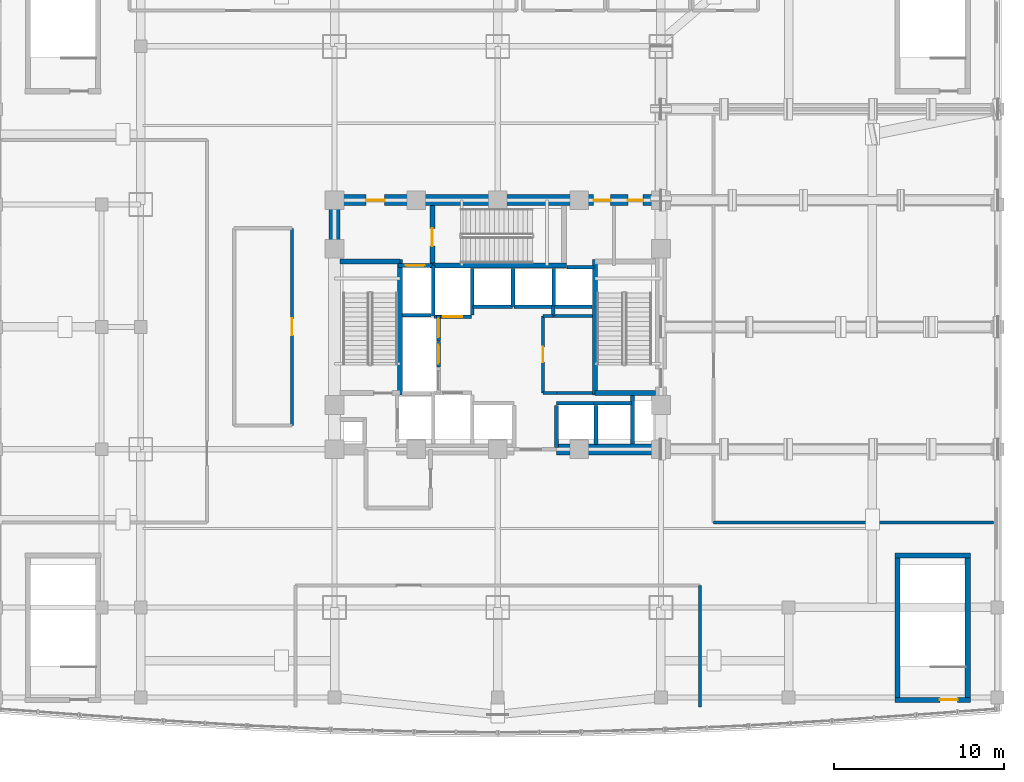
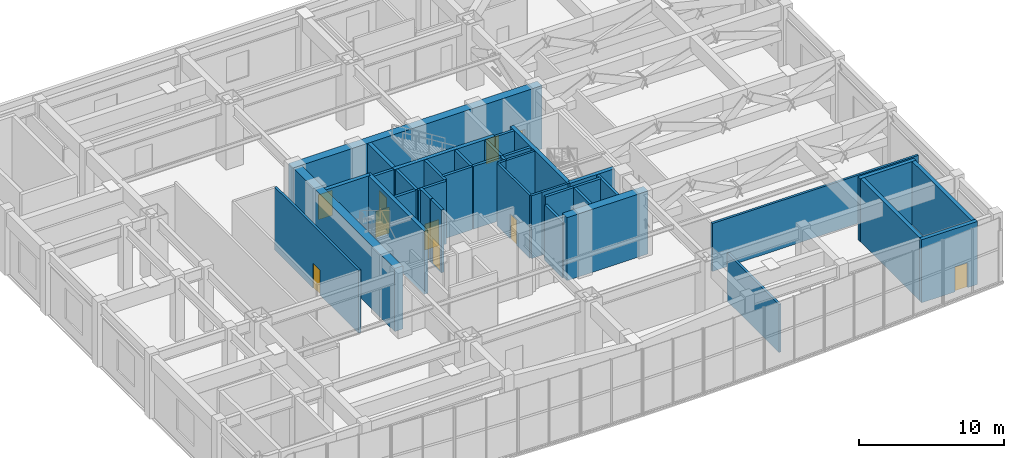
# One storey, part 13 of 19: 40 walls, 11 doors, 11 openings.
"""IFC4 building model written with IfcOpenShell, lengths in metres."""

import ifcopenshell
import ifcopenshell.guid

model = None  # the IFC model being written
_history = None  # IfcOwnerHistory: only IFC2X3 demands one
_inside = {}  # id of a spatial element -> (the spatial element, [elements in it])
_under = {}  # id of a project, library or spatial element -> (it, [spatial elements below it])
_declared = {}  # id of a project -> (the project, [libraries it declares])
_typed = {}  # id of a type object -> (the type object, [elements of that type])
_made_of = {}  # id of a material, layer set ... -> (it, [elements and type objects made of it])


def new_model(schema):
    """Start an empty IFC model of exactly this schema.

    Asked for "IFC4X3", IfcOpenShell would pick the latest addendum, in which some entities
    have other attributes; the version numbers below select the first issue.
    IFC2X3 requires an IfcOwnerHistory on every rooted entity: one is made here for all.
    """
    global model, _history
    if schema == "IFC4X3":
        model = ifcopenshell.file(schema_version=(4, 3, 0, 0))
    else:
        model = ifcopenshell.file(schema=schema)
    _inside.clear()
    _under.clear()
    _declared.clear()
    _typed.clear()
    _made_of.clear()
    _history = None
    if model.schema == "IFC2X3":
        org = make("IfcOrganization", Name="unknown")
        user = make(
            "IfcPersonAndOrganization",
            ThePerson=make("IfcPerson", FamilyName="unknown"),
            TheOrganization=org,
        )
        app = make(
            "IfcApplication",
            ApplicationDeveloper=org,
            Version="unknown",
            ApplicationFullName="unknown",
            ApplicationIdentifier="unknown",
        )
        _history = make(
            "IfcOwnerHistory",
            OwningUser=user,
            OwningApplication=app,
            ChangeAction="ADDED",
            CreationDate=0,
        )
    return model


def make(cls, **values):
    """One entity of the class cls with the attributes given. An attribute that is None is left unset."""
    return model.create_entity(
        cls, **{name: value for name, value in values.items() if value is not None}
    )


def rooted(cls, **values):
    """An entity with a GlobalId (a new one), such as an element, a storey or a relation."""
    return make(cls, GlobalId=ifcopenshell.guid.new(), OwnerHistory=_history, **values)


def si_unit(unit_type, name, prefix=None):
    """IfcSIUnit, for example si_unit("LENGTHUNIT", "METRE", prefix="MILLI")."""
    return make("IfcSIUnit", UnitType=unit_type, Prefix=prefix, Name=name)


def assignment(units):
    """IfcUnitAssignment: the units of a project."""
    return None if units is None else make("IfcUnitAssignment", Units=units)


def point(xyz):
    """IfcCartesianPoint."""
    return None if xyz is None else make("IfcCartesianPoint", Coordinates=xyz)


def direction(xyz):
    """IfcDirection."""
    return None if xyz is None else make("IfcDirection", DirectionRatios=xyz)


def frame(location, z_axis=None, x_axis=None):
    """IfcAxis2Placement3D, a coordinate frame: its origin and axes. An axis left out is left unset."""
    return make(
        "IfcAxis2Placement3D",
        Location=point(location),
        Axis=direction(z_axis),
        RefDirection=direction(x_axis),
    )


def frame_2d(location, x_axis=None):
    """IfcAxis2Placement2D, a coordinate frame in the plane: its origin and x axis."""
    return make(
        "IfcAxis2Placement2D", Location=point(location), RefDirection=direction(x_axis)
    )


def origin():
    """The frame at (0, 0, 0) with its axes left unset."""
    return frame((0.0, 0.0, 0.0))


def place(relative_to, where):
    """IfcLocalPlacement: puts the frame where relative to a parent placement (None: the world)."""
    return make(
        "IfcLocalPlacement", PlacementRelTo=relative_to, RelativePlacement=where
    )


def context(
    kind, dimensions, precision=None, world=None, true_north=None, identifier=None
):
    """IfcGeometricRepresentationContext, for example the 3D "Model" context."""
    return make(
        "IfcGeometricRepresentationContext",
        ContextIdentifier=identifier,
        ContextType=kind,
        CoordinateSpaceDimension=dimensions,
        Precision=precision,
        WorldCoordinateSystem=world,
        TrueNorth=true_north,
    )


def subcontext(parent, identifier, kind, view, scale=None):
    """IfcGeometricRepresentationSubContext, for example "Body" below "Model"."""
    return make(
        "IfcGeometricRepresentationSubContext",
        ContextIdentifier=identifier,
        ContextType=kind,
        ParentContext=parent,
        TargetScale=scale,
        TargetView=view,
    )


def project(units=None, contexts=None):
    """IfcProject with its units and contexts."""
    return rooted(
        "IfcProject",
        Name="project",
        RepresentationContexts=contexts,
        UnitsInContext=assignment(units),
    )


def spatial(cls, under=None, at=None, **own):
    """A site, building, storey or space (cls), placed at a placement, below another one or the project."""
    s = rooted(cls, ObjectPlacement=at, **own)
    if under is not None:
        _under.setdefault(under.id(), (under, []))[1].append(s)
    return s


def profile(cls, at=None, kind="AREA", **sizes):
    """A parametric profile (cls). Its sizes go by their IFC names, for example OverallWidth=200.0."""
    return make(cls, ProfileType=kind, Position=at, **sizes)


def rectangle(**sizes):
    """IfcRectangleProfileDef."""
    return profile("IfcRectangleProfileDef", **sizes)


def extrude(swept, where, along, depth):
    """IfcExtrudedAreaSolid: the profile swept, set in the frame where, extruded along a direction by depth."""
    return make(
        "IfcExtrudedAreaSolid",
        SweptArea=swept,
        Position=where,
        ExtrudedDirection=direction(along),
        Depth=depth,
    )


def shape(context_of_items, identifier, shape_type, items):
    """IfcShapeRepresentation: the items that make up one representation, for example the "Body"."""
    return make(
        "IfcShapeRepresentation",
        ContextOfItems=context_of_items,
        RepresentationIdentifier=identifier,
        RepresentationType=shape_type,
        Items=items,
    )


def material(Name=None, Category=None):
    """IfcMaterial."""
    return make("IfcMaterial", Name=Name, Category=Category)


def layer(
    of_material, thickness, ventilated=None, Name=None, Category=None, Priority=None
):
    """IfcMaterialLayer: one layer of a wall or slab, of a material (None: an air gap)."""
    return make(
        "IfcMaterialLayer",
        Material=of_material,
        LayerThickness=thickness,
        IsVentilated=ventilated,
        Name=Name,
        Category=Category,
        Priority=Priority,
    )


def layer_set(layers, Name=None):
    """IfcMaterialLayerSet."""
    return make("IfcMaterialLayerSet", MaterialLayers=layers, LayerSetName=Name)


def made_of(thing, what):
    """Note that an element or type object is made of a material, layer set ...; save() writes the relation."""
    if what is not None:
        _made_of.setdefault(what.id(), (what, []))[1].append(thing)
    return thing


def type_object(cls, material=None, **own):
    """A type object (cls), such as IfcWallType, which elements share."""
    return made_of(rooted(cls, **own), material)


def element(
    cls,
    number,
    at=None,
    inside=None,
    cuts=None,
    type_object=None,
    material=None,
    context=None,
    identifier="Body",
    shape_type=None,
    held_by="IfcProductDefinitionShape",
    body=None,
    shapes=None,
    **own,
):
    """One element of the class cls, such as IfcWall. Its Tag is "e" and its number.

    at: its placement. inside: the storey or other place that contains it. cuts: it is an
    opening in that element (IfcRelVoidsElement). A single representation is given by context,
    identifier, shape_type and body (its items); several are given by shapes. held_by: the class
    of the entity that holds the representations. save() writes the other relations.
    """
    e = rooted(cls, Tag="e%d" % number, ObjectPlacement=at, **own)
    if body is not None:
        shapes = [shape(context, identifier, shape_type, body)]
    if shapes is not None:
        e.Representation = make(held_by, Representations=shapes)
    if inside is not None:
        _inside.setdefault(inside.id(), (inside, []))[1].append(e)
    if cuts is not None:
        rooted(
            "IfcRelVoidsElement", RelatingBuildingElement=cuts, RelatedOpeningElement=e
        )
    if type_object is not None:
        _typed.setdefault(type_object.id(), (type_object, []))[1].append(e)
    return made_of(e, material)


def fill(opening, filler):
    """IfcRelFillsElement: the door or window that sits in an opening."""
    return rooted(
        "IfcRelFillsElement",
        RelatingOpeningElement=opening,
        RelatedBuildingElement=filler,
    )


def aggregate(whole, parts):
    """IfcRelAggregates: a whole, such as a stair, and the parts it consists of."""
    return rooted("IfcRelAggregates", RelatingObject=whole, RelatedObjects=parts)


def save(model, path):
    """Write the relations noted so far, then the file.

    IfcRelAggregates (storeys below a building ...), IfcRelContainedInSpatialStructure (elements
    in a storey), IfcRelDefinesByType, IfcRelAssociatesMaterial and IfcRelDeclares: one each for
    every whole, place, type object, material and project.
    """
    for whole, parts in _under.values():
        aggregate(whole, parts)
    for where, things in _inside.values():
        rooted(
            "IfcRelContainedInSpatialStructure",
            RelatedElements=things,
            RelatingStructure=where,
        )
    for kind, things in _typed.values():
        rooted("IfcRelDefinesByType", RelatedObjects=things, RelatingType=kind)
    for what, things in _made_of.values():
        rooted("IfcRelAssociatesMaterial", RelatedObjects=things, RelatingMaterial=what)
    for by, libraries in _declared.values():
        rooted("IfcRelDeclares", RelatingContext=by, RelatedDefinitions=libraries)
    model.write(path)


model = new_model("IFC4")

# Units and contexts
model_context = context("Model", 3, precision=1e-05, world=origin(), true_north=direction((0.0, 1.0)))
body_context = subcontext(model_context, "Body", "Model", "MODEL_VIEW")
ifc_project = project(units=[si_unit("LENGTHUNIT", "METRE"), si_unit("AREAUNIT", "SQUARE_METRE"), si_unit("VOLUMEUNIT", "CUBIC_METRE"), si_unit("PLANEANGLEUNIT", "RADIAN"), si_unit("MASSUNIT", "GRAM", prefix="KILO")], contexts=[model_context])

# Site, building, storey
site_placement = place(None, origin())
site = spatial("IfcSite", under=ifc_project, at=site_placement, CompositionType="ELEMENT")
building_placement = place(site_placement, origin())
building = spatial("IfcBuilding", under=site, at=building_placement, Name="Vantalir Tower", CompositionType="ELEMENT")
storey_placement = place(building_placement, frame((0.0, 0.0, 21.5)))
storey = spatial("IfcBuildingStorey", under=building, at=storey_placement, Name="L04", CompositionType="ELEMENT", Elevation=21.5)

# Wall
ifc_material_1 = material(Name="Concrete C60/75", Category="concrete")
ifc_layer_1 = layer(ifc_material_1, 0.64990234375)
ifc_layer_set_1 = layer_set([ifc_layer_1], Name="Concrete C60/75")
wall_type_1 = type_object("IfcWallType", Name="WL-CORE-650", PredefinedType="SHEAR", material=ifc_layer_set_1)
wall_1_placement = place(storey_placement, frame((34.949951171875, 17.800048828125, 0.0), z_axis=(0.0, 0.0, 1.0), x_axis=(1.0, 0.0, 0.0)))
element("IfcWall", 1, at=wall_1_placement, inside=storey, type_object=wall_type_1, Name="L04 Core Shear Wall South-East", PredefinedType="SHEAR", context=body_context, shape_type="SweptSolid", body=[
    extrude(rectangle(XDim=6.47509765625, YDim=0.64990234375, at=frame_2d((3.237548828125, 0.0))), origin(), (0.0, 0.0, 1.0), 5.320068359375),
])

# Wall, openings, doors
wall_2_placement = place(storey_placement, frame((21.574951171875, 32.449951171875, 0.0), z_axis=(0.0, 0.0, 1.0), x_axis=(1.0, 0.0, 0.0)))
wall_2 = element("IfcWall", 2, at=wall_2_placement, inside=storey, type_object=wall_type_1, Name="L04 Core Shear Wall North", PredefinedType="SHEAR", context=body_context, shape_type="SweptSolid", body=[
    extrude(rectangle(XDim=19.85009765625, YDim=0.64990234375, at=frame_2d((9.925048828125, 0.0))), origin(), (0.0, 0.0, 1.0), 5.320068359375),
])
opening_1_placement = place(wall_2_placement, frame((2.175048828125, 0.0, 0.0)))
opening_1 = element("IfcOpeningElement", 3, at=opening_1_placement, cuts=wall_2, Name="Opening D-FFL", PredefinedType="OPENING", context=body_context, shape_type="SweptSolid", body=[
    extrude(rectangle(XDim=1.10009765625, YDim=2.10009765625, at=frame_2d((0.550048828125, 1.050048828125))), frame((0.0, 0.3349609375, 0.0), z_axis=(0.0, -1.0, 0.0), x_axis=(1.0, 0.0, 0.0)), (0.0, 0.0, 1.0), 0.669921875),
])
opening_2_placement = place(wall_2_placement, frame((15.56494140625, 0.0, 0.0)))
opening_2 = element("IfcOpeningElement", 4, at=opening_2_placement, cuts=wall_2, Name="Opening D-GUEST", PredefinedType="OPENING", context=body_context, shape_type="SweptSolid", body=[
    extrude(rectangle(XDim=1.0, YDim=2.10009765625, at=frame_2d((0.5, 1.050048828125))), frame((0.0, 0.3349609375, 0.0), z_axis=(0.0, -1.0, 0.0), x_axis=(1.0, 0.0, 0.0)), (0.0, 0.0, 1.0), 0.669921875),
])
opening_3_placement = place(wall_2_placement, frame((17.574951171875, 0.0, 0.0)))
opening_3 = element("IfcOpeningElement", 5, at=opening_3_placement, cuts=wall_2, Name="Opening D-CR", PredefinedType="OPENING", context=body_context, shape_type="SweptSolid", body=[
    extrude(rectangle(XDim=0.89990234375, YDim=2.10009765625, at=frame_2d((0.449951171875, 1.050048828125))), frame((0.0, 0.3349609375, 0.0), z_axis=(0.0, -1.0, 0.0), x_axis=(1.0, 0.0, 0.0)), (0.0, 0.0, 1.0), 0.669921875),
])
ifc_material_2 = material(Name="Fire-rated steel core service door", Category="steel")
door_type_1 = type_object("IfcDoorType", Name="DR-CORE-SERV-900", OperationType="NOTDEFINED", PredefinedType="DOOR", material=ifc_material_2)
door_1_placement = place(opening_3_placement, frame((0.89990234375, 0.0, 0.0), z_axis=(0.0, 0.0, 1.0), x_axis=(-1.0, 0.0, 0.0)))
door_1 = element("IfcDoor", 6, at=door_1_placement, inside=storey, type_object=door_type_1, Name="L04 Housekeeping and Linen Room Door", OperationType="SINGLE_SWING_RIGHT", OverallHeight=2.10009765625, OverallWidth=0.89990234375, PredefinedType="DOOR", context=body_context, shape_type="SweptSolid", body=[
    extrude(rectangle(XDim=0.89990234375, YDim=2.10009765625, at=frame_2d((0.449951171875, 1.050048828125))), frame((0.0, 0.02490234375, 0.0), z_axis=(0.0, -1.0, 0.0), x_axis=(1.0, 0.0, 0.0)), (0.0, 0.0, 1.0), 0.050048828125),
])
fill(opening_3, door_1)
ifc_material_3 = material(Name="Fire-rated acoustic steel door", Category="steel")
door_type_2 = type_object("IfcDoorType", Name="DR-FIRE-LOBBY-1100", OperationType="NOTDEFINED", PredefinedType="DOOR", material=ifc_material_3)
door_2_placement = place(opening_1_placement, frame((1.10009765625, 0.0, 0.0), z_axis=(0.0, 0.0, 1.0), x_axis=(-1.0, 0.0, 0.0)))
door_2 = element("IfcDoor", 7, at=door_2_placement, inside=storey, type_object=door_type_2, Name="L04 Firefighting Lobby East Access Door", OperationType="SINGLE_SWING_RIGHT", OverallHeight=2.10009765625, OverallWidth=1.10009765625, PredefinedType="DOOR", context=body_context, shape_type="SweptSolid", body=[
    extrude(rectangle(XDim=1.10009765625, YDim=2.10009765625, at=frame_2d((0.550048828125, 1.050048828125))), frame((0.0, 0.02490234375, 0.0), z_axis=(0.0, -1.0, 0.0), x_axis=(1.0, 0.0, 0.0)), (0.0, 0.0, 1.0), 0.050048828125),
])
fill(opening_1, door_2)
ifc_material_4 = material(Name="Solid-core teak veneer acoustic fire door", Category="wood")
door_type_3 = type_object("IfcDoorType", Name="DR-GUEST-ENTRY-1000", OperationType="NOTDEFINED", PredefinedType="DOOR", material=ifc_material_4)
door_3_placement = place(opening_2_placement, frame((1.0, 0.0, 0.0), z_axis=(0.0, 0.0, 1.0), x_axis=(-1.0, 0.0, 0.0)))
door_3 = element("IfcDoor", 8, at=door_3_placement, inside=storey, type_object=door_type_3, Name="L04 High-Rise Lift Lobby Door", OperationType="SINGLE_SWING_LEFT", OverallHeight=2.10009765625, OverallWidth=1.0, PredefinedType="DOOR", context=body_context, shape_type="SweptSolid", body=[
    extrude(rectangle(XDim=1.0, YDim=2.10009765625, at=frame_2d((0.5, 1.050048828125))), frame((0.0, 0.02490234375, 0.0), z_axis=(0.0, -1.0, 0.0), x_axis=(1.0, 0.0, 0.0)), (0.0, 0.0, 1.0), 0.050048828125),
])
fill(opening_2, door_3)

# Walls
wall_3_placement = place(storey_placement, frame((21.89990234375, 18.125, 0.0), z_axis=(0.0, 0.0, 1.0), x_axis=(0.0, 1.0, 0.0)))
element("IfcWall", 9, at=wall_3_placement, inside=storey, type_object=wall_type_1, Name="L04 Core Shear Wall West", PredefinedType="SHEAR", context=body_context, shape_type="SweptSolid", body=[
    extrude(rectangle(XDim=14.0, YDim=0.64990234375, at=frame_2d((7.0, 0.0))), origin(), (0.0, 0.0, 1.0), 5.320068359375),
])
ifc_material_5 = material(Name="Concrete blockwork with fireboard lining", Category="masonry")
ifc_layer_2 = layer(ifc_material_5, 0.219970703125)
ifc_layer_set_2 = layer_set([ifc_layer_2], Name="Concrete blockwork with fireboard lining")
wall_type_2 = type_object("IfcWallType", Name="WL-FFL-220", PredefinedType="PARTITIONING", material=ifc_layer_set_2)
wall_4_placement = place(storey_placement, frame((34.949951171875, 17.919921875, 0.0), z_axis=(0.0, 0.0, 1.0), x_axis=(0.0, 1.0, 0.0)))
element("IfcWall", 10, at=wall_4_placement, inside=storey, type_object=wall_type_2, Name="L04 Shuttle Lift PL-X3 West Shaft Cheek", PredefinedType="PARTITIONING", context=body_context, shape_type="SweptSolid", body=[
    extrude(rectangle(XDim=2.469970703125, YDim=0.219970703125, at=frame_2d((1.23486328125, 0.0))), origin(), (0.0, 0.0, 1.0), 4.678955078125),
])
wall_5_placement = place(storey_placement, frame((37.27490234375, 18.080078125, 0.0), z_axis=(0.0, 0.0, 1.0), x_axis=(0.0, 1.0, 0.0)))
element("IfcWall", 11, at=wall_5_placement, inside=storey, type_object=wall_type_2, Name="L04 Shuttle Lift PL-X2/X3 Shaft Divider", PredefinedType="PARTITIONING", context=body_context, shape_type="SweptSolid", body=[
    extrude(rectangle(XDim=2.309814453125, YDim=0.219970703125, at=frame_2d((1.15478515625, 0.0))), origin(), (0.0, 0.0, 1.0), 5.294921875),
])
wall_6_placement = place(storey_placement, frame((30.0, 25.7099609375, 0.0), z_axis=(0.0, 0.0, 1.0), x_axis=(0.0, 1.0, 0.0)))
element("IfcWall", 12, at=wall_6_placement, inside=storey, type_object=wall_type_2, Name="L04 Service Lift SV2 East Shaft Wall", PredefinedType="PARTITIONING", context=body_context, shape_type="SweptSolid", body=[
    extrude(rectangle(XDim=2.72998046875, YDim=0.219970703125, at=frame_2d((1.364990234375, 0.0))), origin(), (0.0, 0.0, 1.0), 5.294921875),
])
wall_7_placement = place(storey_placement, frame((32.39990234375, 26.199951171875, 0.0), z_axis=(0.0, 0.0, 1.0), x_axis=(0.0, 1.0, 0.0)))
element("IfcWall", 13, at=wall_7_placement, inside=storey, type_object=wall_type_2, Name="L04 High-Rise Lift PL-H1/H2 Shaft Divider", PredefinedType="PARTITIONING", context=body_context, shape_type="SweptSolid", body=[
    extrude(rectangle(XDim=2.239990234375, YDim=0.219970703125, at=frame_2d((1.1201171875, 0.0))), origin(), (0.0, 0.0, 1.0), 5.294921875),
])
wall_8_placement = place(storey_placement, frame((34.800048828125, 26.22998046875, 0.0), z_axis=(0.0, 0.0, 1.0), x_axis=(0.0, 1.0, 0.0)))
element("IfcWall", 14, at=wall_8_placement, inside=storey, type_object=wall_type_2, Name="L04 High-Rise Lift PL-H2/H3 Shaft Divider", PredefinedType="PARTITIONING", context=body_context, shape_type="SweptSolid", body=[
    extrude(rectangle(XDim=2.2099609375, YDim=0.219970703125, at=frame_2d((1.10498046875, 0.0))), origin(), (0.0, 0.0, 1.0), 5.294921875),
])
wall_9_placement = place(storey_placement, frame((34.909912109375, 26.18994140625, 0.0), z_axis=(0.0, 0.0, 1.0), x_axis=(1.0, 0.0, 0.0)))
element("IfcWall", 15, at=wall_9_placement, inside=storey, type_object=wall_type_2, Name="L04 High-Rise Lift PL-H3 Rear Shaft Wall", PredefinedType="PARTITIONING", context=body_context, shape_type="SweptSolid", body=[
    extrude(rectangle(XDim=2.14013671875, YDim=0.219970703125, at=frame_2d((1.070068359375, 0.0))), origin(), (0.0, 0.0, 1.0), 5.294921875),
])
wall_10_placement = place(storey_placement, frame((39.419921875, 18.125, 0.0), z_axis=(0.0, 0.0, 1.0), x_axis=(0.0, 1.0, 0.0)))
element("IfcWall", 16, at=wall_10_placement, inside=storey, type_object=wall_type_2, Name="L04 East MEP Riser Wall W", PredefinedType="PARTITIONING", context=body_context, shape_type="SweptSolid", body=[
    extrude(rectangle(XDim=2.824951171875, YDim=0.219970703125, at=frame_2d((1.41259765625, 0.0))), origin(), (0.0, 0.0, 1.0), 5.300048828125),
])

# Wall, opening, door
wall_11_placement = place(storey_placement, frame((25.639892578125, 28.610107421875, 0.0), z_axis=(0.0, 0.0, 1.0), x_axis=(1.0, 0.0, 0.0)))
wall_11 = element("IfcWall", 17, at=wall_11_placement, inside=storey, type_object=wall_type_2, Name="L04 Lift FL2 Shaft Front Wall", PredefinedType="PARTITIONING", context=body_context, shape_type="SweptSolid", body=[
    extrude(rectangle(XDim=2.02001953125, YDim=0.219970703125, at=frame_2d((1.010009765625, 0.0))), origin(), (0.0, 0.0, 1.0), 5.300048828125),
])
opening_4_placement = place(wall_11_placement, frame((0.4599609375, 0.0, 0.0)))
opening_4 = element("IfcOpeningElement", 18, at=opening_4_placement, cuts=wall_11, Name="Opening LD-FL2", PredefinedType="OPENING", context=body_context, shape_type="SweptSolid", body=[
    extrude(rectangle(XDim=1.10009765625, YDim=2.199951171875, at=frame_2d((0.550048828125, 1.10009765625))), frame((0.0, 0.119873046875, 0.0), z_axis=(0.0, -1.0, 0.0), x_axis=(1.0, 0.0, 0.0)), (0.0, 0.0, 1.0), 0.239990234375),
])
ifc_material_6 = material(Name="Brushed stainless-steel sliding lift landing door", Category="steel")
door_type_4 = type_object("IfcDoorType", Name="DR-LIFT-LANDING-1100", OperationType="DOUBLE_DOOR_SLIDING", PredefinedType="DOOR", material=ifc_material_6)
door_4_placement = place(opening_4_placement, origin())
door_4 = element("IfcDoor", 19, at=door_4_placement, inside=storey, type_object=door_type_4, Name="L04 Lift Landing Door FL2", OperationType="DOUBLE_DOOR_SLIDING", OverallHeight=2.199951171875, OverallWidth=1.10009765625, PredefinedType="DOOR", context=body_context, shape_type="SweptSolid", body=[
    extrude(rectangle(XDim=1.10009765625, YDim=2.199951171875, at=frame_2d((0.550048828125, 1.10009765625))), frame((0.0, 0.02490234375, 0.0), z_axis=(0.0, -1.0, 0.0), x_axis=(1.0, 0.0, 0.0)), (0.0, 0.0, 1.0), 0.050048828125),
])
fill(opening_4, door_4)

wall_12_placement = place(storey_placement, frame((27.739990234375, 25.590087890625, 0.0), z_axis=(0.0, 0.0, 1.0), x_axis=(1.0, 0.0, 0.0)))
wall_12 = element("IfcWall", 20, at=wall_12_placement, inside=storey, type_object=wall_type_2, Name="L04 Lift SV2 Shaft Front Wall", PredefinedType="PARTITIONING", context=body_context, shape_type="SweptSolid", body=[
    extrude(rectangle(XDim=2.219970703125, YDim=0.219970703125, at=frame_2d((1.10986328125, 0.0))), origin(), (0.0, 0.0, 1.0), 5.300048828125),
])
opening_5_placement = place(wall_12_placement, frame((0.56005859375, 0.0, 0.0)))
opening_5 = element("IfcOpeningElement", 21, at=opening_5_placement, cuts=wall_12, Name="Opening LD-SV2", PredefinedType="OPENING", context=body_context, shape_type="SweptSolid", body=[
    extrude(rectangle(XDim=1.10009765625, YDim=2.199951171875, at=frame_2d((0.550048828125, 1.10009765625))), frame((0.0, 0.119873046875, 0.0), z_axis=(0.0, -1.0, 0.0), x_axis=(1.0, 0.0, 0.0)), (0.0, 0.0, 1.0), 0.239990234375),
])
door_5_placement = place(opening_5_placement, frame((1.10009765625, 0.0, 0.0), z_axis=(0.0, 0.0, 1.0), x_axis=(-1.0, 0.0, 0.0)))
door_5 = element("IfcDoor", 22, at=door_5_placement, inside=storey, type_object=door_type_4, Name="L04 Lift Landing Door SV2", OperationType="DOUBLE_DOOR_SLIDING", OverallHeight=2.199951171875, OverallWidth=1.10009765625, PredefinedType="DOOR", context=body_context, shape_type="SweptSolid", body=[
    extrude(rectangle(XDim=1.10009765625, YDim=2.199951171875, at=frame_2d((0.550048828125, 1.10009765625))), frame((0.0, 0.02490234375, 0.0), z_axis=(0.0, -1.0, 0.0), x_axis=(1.0, 0.0, 0.0)), (0.0, 0.0, 1.0), 0.050048828125),
])
fill(opening_5, door_5)

# Walls
for number, where, z_axis, x_axis, name in (
    (23, (37.139892578125, 20.510009765625, 0.0), (0.0, 0.0, 1.0), (1.0, 0.0, 0.0), "L04 Lift PL-X2 Shaft Rear Wall"),
    (24, (34.93994140625, 20.510009765625, 0.0), (0.0, 0.0, 1.0), (1.0, 0.0, 0.0), "L04 Lift PL-X3 Shaft Front Wall"),
):
    element("IfcWall", number, at=place(storey_placement, frame(where, z_axis=z_axis, x_axis=x_axis)), inside=storey, type_object=wall_type_2, Name=name, PredefinedType="PARTITIONING", context=body_context, shape_type="SweptSolid", body=[
        extrude(rectangle(XDim=2.239990234375, YDim=0.219970703125, at=frame_2d((1.1201171875, 0.0))), origin(), (0.0, 0.0, 1.0), 5.300048828125),
    ])
for number, where, z_axis, x_axis, name in (
    (25, (30.0400390625, 26.18994140625, 0.0), (0.0, 0.0, 1.0), (1.0, 0.0, 0.0), "L04 Lift PL-H1 Shaft Front Wall"),
    (26, (32.43994140625, 26.18994140625, 0.0), (0.0, 0.0, 1.0), (1.0, 0.0, 0.0), "L04 Lift PL-H2 Shaft Front Wall"),
):
    element("IfcWall", number, at=place(storey_placement, frame(where, z_axis=z_axis, x_axis=x_axis)), inside=storey, type_object=wall_type_2, Name=name, PredefinedType="PARTITIONING", context=body_context, shape_type="SweptSolid", body=[
        extrude(rectangle(XDim=2.320068359375, YDim=0.219970703125, at=frame_2d((1.16015625, 0.0))), origin(), (0.0, 0.0, 1.0), 5.300048828125),
    ])
wall_13_placement = place(storey_placement, frame((35.56005859375, 28.510009765625, 0.0), z_axis=(0.0, 0.0, 1.0), x_axis=(1.0, 0.0, 0.0)))
element("IfcWall", 27, at=wall_13_placement, inside=storey, type_object=wall_type_2, Name="L04 Lift PL-H3 Shaft Front Wall", PredefinedType="PARTITIONING", context=body_context, shape_type="SweptSolid", body=[
    extrude(rectangle(XDim=1.599853515625, YDim=0.219970703125, at=frame_2d((0.7998046875, 0.0))), origin(), (0.0, 0.0, 1.0), 5.300048828125),
])

# Wall, opening, door
wall_14_placement = place(storey_placement, frame((28.010009765625, 22.639892578125, 0.0), z_axis=(0.0, 0.0, 1.0), x_axis=(0.0, 1.0, 0.0)))
wall_14 = element("IfcWall", 28, at=wall_14_placement, inside=storey, type_object=wall_type_2, Name="L04 Lift PL-L2 Shaft Front Wall", PredefinedType="PARTITIONING", context=body_context, shape_type="SweptSolid", body=[
    extrude(rectangle(XDim=1.5, YDim=0.219970703125, at=frame_2d((0.75, 0.0))), origin(), (0.0, 0.0, 1.0), 5.300048828125),
])
opening_6_placement = place(wall_14_placement, frame((0.199951171875, 0.0, 0.0)))
opening_6 = element("IfcOpeningElement", 29, at=opening_6_placement, cuts=wall_14, Name="Opening LD-PL-L2", PredefinedType="OPENING", context=body_context, shape_type="SweptSolid", body=[
    extrude(rectangle(XDim=1.10009765625, YDim=2.199951171875, at=frame_2d((0.550048828125, 1.10009765625))), frame((0.0, 0.119873046875, 0.0), z_axis=(0.0, -1.0, 0.0), x_axis=(1.0, 0.0, 0.0)), (0.0, 0.0, 1.0), 0.239990234375),
])
door_6_placement = place(opening_6_placement, frame((1.10009765625, 0.0, 0.0), z_axis=(0.0, 0.0, 1.0), x_axis=(-1.0, 0.0, 0.0)))
door_6 = element("IfcDoor", 30, at=door_6_placement, inside=storey, type_object=door_type_4, Name="L04 Lift Landing Door PL-L2", OperationType="DOUBLE_DOOR_SLIDING", OverallHeight=2.199951171875, OverallWidth=1.10009765625, PredefinedType="DOOR", context=body_context, shape_type="SweptSolid", body=[
    extrude(rectangle(XDim=1.10009765625, YDim=2.199951171875, at=frame_2d((0.550048828125, 1.10009765625))), frame((0.0, 0.02490234375, 0.0), z_axis=(0.0, -1.0, 0.0), x_axis=(1.0, 0.0, 0.0)), (0.0, 0.0, 1.0), 0.050048828125),
])
fill(opening_6, door_6)

wall_15_placement = place(storey_placement, frame((28.010009765625, 24.179931640625, 0.0), z_axis=(0.0, 0.0, 1.0), x_axis=(0.0, 1.0, 0.0)))
wall_15 = element("IfcWall", 31, at=wall_15_placement, inside=storey, type_object=wall_type_2, Name="L04 Lift PL-L3 Shaft Front Wall", PredefinedType="PARTITIONING", context=body_context, shape_type="SweptSolid", body=[
    extrude(rectangle(XDim=1.5, YDim=0.219970703125, at=frame_2d((0.75, 0.0))), origin(), (0.0, 0.0, 1.0), 5.300048828125),
])
opening_7_placement = place(wall_15_placement, frame((0.199951171875, 0.0, 0.0)))
opening_7 = element("IfcOpeningElement", 32, at=opening_7_placement, cuts=wall_15, Name="Opening LD-PL-L3", PredefinedType="OPENING", context=body_context, shape_type="SweptSolid", body=[
    extrude(rectangle(XDim=1.10009765625, YDim=2.199951171875, at=frame_2d((0.550048828125, 1.10009765625))), frame((0.0, 0.119873046875, 0.0), z_axis=(0.0, -1.0, 0.0), x_axis=(1.0, 0.0, 0.0)), (0.0, 0.0, 1.0), 0.239990234375),
])
door_7_placement = place(opening_7_placement, frame((1.10009765625, 0.0, 0.0), z_axis=(0.0, 0.0, 1.0), x_axis=(-1.0, 0.0, 0.0)))
door_7 = element("IfcDoor", 33, at=door_7_placement, inside=storey, type_object=door_type_4, Name="L04 Lift Landing Door PL-L3", OperationType="DOUBLE_DOOR_SLIDING", OverallHeight=2.199951171875, OverallWidth=1.10009765625, PredefinedType="DOOR", context=body_context, shape_type="SweptSolid", body=[
    extrude(rectangle(XDim=1.10009765625, YDim=2.199951171875, at=frame_2d((0.550048828125, 1.10009765625))), frame((0.0, 0.02490234375, 0.0), z_axis=(0.0, -1.0, 0.0), x_axis=(1.0, 0.0, 0.0)), (0.0, 0.0, 1.0), 0.050048828125),
])
fill(opening_7, door_7)

# Walls
wall_16_placement = place(storey_placement, frame((27.699951171875, 25.64990234375, 0.0), z_axis=(0.0, 0.0, 1.0), x_axis=(0.0, 1.0, 0.0)))
element("IfcWall", 34, at=wall_16_placement, inside=storey, type_object=wall_type_2, Name="L04 Fire Lift FL2 Dividing Wall", PredefinedType="PARTITIONING", context=body_context, shape_type="SweptSolid", body=[
    extrude(rectangle(XDim=3.0, YDim=0.219970703125, at=frame_2d((1.5, 0.0))), origin(), (0.0, 0.0, 1.0), 5.300048828125),
])
wall_17_placement = place(storey_placement, frame((25.8798828125, 25.679931640625, 0.0), z_axis=(0.0, 0.0, 1.0), x_axis=(1.0, 0.0, 0.0)))
element("IfcWall", 35, at=wall_17_placement, inside=storey, type_object=wall_type_2, Name="L04 Low-Rise Bank North Wall", PredefinedType="PARTITIONING", context=body_context, shape_type="SweptSolid", body=[
    extrude(rectangle(XDim=1.7001953125, YDim=0.219970703125, at=frame_2d((0.85009765625, 0.0))), origin(), (0.0, 0.0, 1.0), 5.300048828125),
])
wall_18_placement = place(storey_placement, frame((34.760009765625, 25.64990234375, 0.0), z_axis=(0.0, 0.0, 1.0), x_axis=(0.0, 1.0, 0.0)))
element("IfcWall", 36, at=wall_18_placement, inside=storey, type_object=wall_type_2, Name="L04 High-Rise Shaft Shoulder Wall", PredefinedType="PARTITIONING", context=body_context, shape_type="SweptSolid", body=[
    extrude(rectangle(XDim=0.570068359375, YDim=0.219970703125, at=frame_2d((0.28515625, 0.0))), origin(), (0.0, 0.0, 1.0), 5.300048828125),
])
ifc_material_7 = material(Name="Twin-stud acoustic fire-rated gypsum partition", Category="gypsum")
ifc_layer_3 = layer(ifc_material_7, 0.179931640625)
ifc_layer_set_3 = layer_set([ifc_layer_3], Name="Twin-stud acoustic fire-rated gypsum partition")
wall_type_3 = type_object("IfcWallType", Name="WL-GUEST-180", PredefinedType="PARTITIONING", material=ifc_layer_set_3)
wall_19_placement = place(storey_placement, frame((34.97998046875, 21.10009765625, 0.0), z_axis=(0.0, 0.0, 1.0), x_axis=(1.0, 0.0, 0.0)))
element("IfcWall", 37, at=wall_19_placement, inside=storey, type_object=wall_type_3, Name="L04 Freed East Core South Wall", PredefinedType="PARTITIONING", context=body_context, shape_type="SweptSolid", body=[
    extrude(rectangle(XDim=2.080078125, YDim=0.179931640625, at=frame_2d((1.0400390625, 0.0))), origin(), (0.0, 0.0, 1.0), 5.300048828125),
])
wall_20_placement = place(storey_placement, frame((34.719970703125, 25.64990234375, 0.0), z_axis=(0.0, 0.0, 1.0), x_axis=(1.0, 0.0, 0.0)))
element("IfcWall", 38, at=wall_20_placement, inside=storey, type_object=wall_type_3, Name="L04 Freed East Core North Wall", PredefinedType="PARTITIONING", context=body_context, shape_type="SweptSolid", body=[
    extrude(rectangle(XDim=2.340087890625, YDim=0.179931640625, at=frame_2d((1.169921875, 0.0))), origin(), (0.0, 0.0, 1.0), 5.300048828125),
])
wall_21_placement = place(storey_placement, frame((34.159912109375, 21.10009765625, 0.0), z_axis=(0.0, 0.0, 1.0), x_axis=(1.0, 0.0, 0.0)))
element("IfcWall", 39, at=wall_21_placement, inside=storey, type_object=wall_type_3, Name="L04 East IT Room South Return", PredefinedType="PARTITIONING", context=body_context, shape_type="SweptSolid", body=[
    extrude(rectangle(XDim=0.820068359375, YDim=0.179931640625, at=frame_2d((0.41015625, 0.0))), origin(), (0.0, 0.0, 1.0), 5.300048828125),
])
wall_22_placement = place(storey_placement, frame((34.159912109375, 25.64990234375, 0.0), z_axis=(0.0, 0.0, 1.0), x_axis=(1.0, 0.0, 0.0)))
element("IfcWall", 40, at=wall_22_placement, inside=storey, type_object=wall_type_3, Name="L04 East IT Room North Return", PredefinedType="PARTITIONING", context=body_context, shape_type="SweptSolid", body=[
    extrude(rectangle(XDim=0.60009765625, YDim=0.179931640625, at=frame_2d((0.300048828125, 0.0))), origin(), (0.0, 0.0, 1.0), 5.300048828125),
])

# Wall, opening, door
wall_23_placement = place(storey_placement, frame((34.159912109375, 21.10009765625, 0.0), z_axis=(0.0, 0.0, 1.0), x_axis=(0.0, 1.0, 0.0)))
wall_23 = element("IfcWall", 41, at=wall_23_placement, inside=storey, type_object=wall_type_3, Name="L04 East IT Room West Wall", PredefinedType="PARTITIONING", context=body_context, shape_type="SweptSolid", body=[
    extrude(rectangle(XDim=4.5498046875, YDim=0.179931640625, at=frame_2d((2.27490234375, 0.0))), origin(), (0.0, 0.0, 1.0), 5.300048828125),
])
opening_8_placement = place(wall_23_placement, frame((1.824951171875, 0.0, 0.0)))
opening_8 = element("IfcOpeningElement", 42, at=opening_8_placement, cuts=wall_23, Name="Opening D-CR", PredefinedType="OPENING", context=body_context, shape_type="SweptSolid", body=[
    extrude(rectangle(XDim=0.89990234375, YDim=2.10009765625, at=frame_2d((0.449951171875, 1.050048828125))), frame((0.0, 0.099853515625, 0.0), z_axis=(0.0, -1.0, 0.0), x_axis=(1.0, 0.0, 0.0)), (0.0, 0.0, 1.0), 0.199951171875),
])
door_8_placement = place(opening_8_placement, frame((0.89990234375, 0.0, 0.0), z_axis=(0.0, 0.0, 1.0), x_axis=(-1.0, 0.0, 0.0)))
door_8 = element("IfcDoor", 43, at=door_8_placement, inside=storey, type_object=door_type_1, Name="L04 Core Data Switchroom Door", OperationType="SINGLE_SWING_RIGHT", OverallHeight=2.10009765625, OverallWidth=0.89990234375, PredefinedType="DOOR", context=body_context, shape_type="SweptSolid", body=[
    extrude(rectangle(XDim=0.89990234375, YDim=2.10009765625, at=frame_2d((0.449951171875, 1.050048828125))), frame((0.0, 0.02490234375, 0.0), z_axis=(0.0, -1.0, 0.0), x_axis=(1.0, 0.0, 0.0)), (0.0, 0.0, 1.0), 0.050048828125),
])
fill(opening_8, door_8)

# Walls
wall_24_placement = place(storey_placement, frame((44.199951171875, 13.5, 0.0), z_axis=(0.0, 0.0, 1.0), x_axis=(1.0, 0.0, 0.0)))
element("IfcWall", 44, at=wall_24_placement, inside=storey, type_object=wall_type_3, Name="L04 East Ballroom Transfer Truss Plant Room South Wall", PredefinedType="PARTITIONING", context=body_context, shape_type="SweptSolid", body=[
    extrude(rectangle(XDim=16.449951171875, YDim=0.179931640625, at=frame_2d((8.22509765625, 0.0))), origin(), (0.0, 0.0, 1.0), 4.054931640625),
])
wall_25_placement = place(storey_placement, frame((43.39990234375, 2.64990234375, 0.0), z_axis=(0.0, 0.0, 1.0), x_axis=(0.0, 1.0, 0.0)))
element("IfcWall", 45, at=wall_25_placement, inside=storey, type_object=wall_type_3, Name="L04 South Podium AHU and Chilled Water Plant East Wall", PredefinedType="PARTITIONING", context=body_context, shape_type="SweptSolid", body=[
    extrude(rectangle(XDim=7.150146484375, YDim=0.179931640625, at=frame_2d((3.5751953125, 0.0))), origin(), (0.0, 0.0, 1.0), 4.054931640625),
])

# Wall, opening, door
wall_26_placement = place(storey_placement, frame((19.39990234375, 19.199951171875, 0.0), z_axis=(0.0, 0.0, 1.0), x_axis=(0.0, 1.0, 0.0)))
wall_26 = element("IfcWall", 46, at=wall_26_placement, inside=storey, type_object=wall_type_3, Name="L04 Spa Linen and Equipment Store East Wall", PredefinedType="PARTITIONING", context=body_context, shape_type="SweptSolid", body=[
    extrude(rectangle(XDim=11.60009765625, YDim=0.179931640625, at=frame_2d((5.800048828125, 0.0))), origin(), (0.0, 0.0, 1.0), 5.300048828125),
])
opening_9_placement = place(wall_26_placement, frame((5.300048828125, 0.0, 0.0)))
opening_9 = element("IfcOpeningElement", 47, at=opening_9_placement, cuts=wall_26, Name="Opening D-GUEST", PredefinedType="OPENING", context=body_context, shape_type="SweptSolid", body=[
    extrude(rectangle(XDim=1.0, YDim=2.10009765625, at=frame_2d((0.5, 1.050048828125))), frame((0.0, 0.099853515625, 0.0), z_axis=(0.0, -1.0, 0.0), x_axis=(1.0, 0.0, 0.0)), (0.0, 0.0, 1.0), 0.199951171875),
])
door_9_placement = place(opening_9_placement, origin())
door_9 = element("IfcDoor", 48, at=door_9_placement, inside=storey, type_object=door_type_3, Name="L04 Spa Linen and Equipment Store Door", OperationType="SINGLE_SWING_LEFT", OverallHeight=2.10009765625, OverallWidth=1.0, PredefinedType="DOOR", context=body_context, shape_type="SweptSolid", body=[
    extrude(rectangle(XDim=1.0, YDim=2.10009765625, at=frame_2d((0.5, 1.050048828125))), frame((0.0, 0.02490234375, 0.0), z_axis=(0.0, -1.0, 0.0), x_axis=(1.0, 0.0, 0.0)), (0.0, 0.0, 1.0), 0.050048828125),
])
fill(opening_9, door_9)

# Walls
ifc_material_8 = material(Name="Concrete C50/60", Category="concrete")
ifc_layer_4 = layer(ifc_material_8, 0.300048828125)
ifc_layer_set_4 = layer_set([ifc_layer_4], Name="Concrete C50/60")
wall_type_4 = type_object("IfcWallType", Name="WL-STAIR-300", PredefinedType="SHEAR", material=ifc_layer_set_4)
wall_27_placement = place(storey_placement, frame((22.22509765625, 28.85009765625, 0.0), z_axis=(0.0, 0.0, 1.0), x_axis=(1.0, 0.0, 0.0)))
element("IfcWall", 49, at=wall_27_placement, inside=storey, type_object=wall_type_4, Name="L04 Stair ST1 North Wall", PredefinedType="SHEAR", context=body_context, shape_type="SweptSolid", body=[
    extrude(rectangle(XDim=3.514892578125, YDim=0.300048828125, at=frame_2d((1.75732421875, 0.0))), origin(), (0.0, 0.0, 1.0), 5.320068359375),
])
wall_28_placement = place(storey_placement, frame((25.739990234375, 20.97998046875, 0.0), z_axis=(0.0, 0.0, 1.0), x_axis=(0.0, 1.0, 0.0)))
element("IfcWall", 50, at=wall_28_placement, inside=storey, type_object=wall_type_4, Name="L04 Stair ST1 East Wall", PredefinedType="SHEAR", context=body_context, shape_type="SweptSolid", body=[
    extrude(rectangle(XDim=7.989990234375, YDim=0.300048828125, at=frame_2d((3.9951171875, 0.0))), origin(), (0.0, 0.0, 1.0), 5.320068359375),
])
wall_29_placement = place(storey_placement, frame((37.2099609375, 21.10009765625, 0.0), z_axis=(0.0, 0.0, 1.0), x_axis=(1.0, 0.0, 0.0)))
element("IfcWall", 51, at=wall_29_placement, inside=storey, type_object=wall_type_4, Name="L04 Stair ST2 South Wall", PredefinedType="SHEAR", context=body_context, shape_type="SweptSolid", body=[
    extrude(rectangle(XDim=3.56494140625, YDim=0.300048828125, at=frame_2d((1.782470703125, 0.0))), origin(), (0.0, 0.0, 1.0), 5.320068359375),
])
wall_30_placement = place(storey_placement, frame((37.2099609375, 20.97998046875, 0.0), z_axis=(0.0, 0.0, 1.0), x_axis=(0.0, 1.0, 0.0)))
element("IfcWall", 52, at=wall_30_placement, inside=storey, type_object=wall_type_4, Name="L04 Stair ST2 West Wall", PredefinedType="SHEAR", context=body_context, shape_type="SweptSolid", body=[
    extrude(rectangle(XDim=7.989990234375, YDim=0.300048828125, at=frame_2d((3.9951171875, 0.0))), origin(), (0.0, 0.0, 1.0), 5.320068359375),
])
wall_31_placement = place(storey_placement, frame((27.510009765625, 28.60009765625, 0.0), z_axis=(0.0, 0.0, 1.0), x_axis=(1.0, 0.0, 0.0)))
element("IfcWall", 53, at=wall_31_placement, inside=storey, type_object=wall_type_4, Name="L04 Stair ST3 South Wall", PredefinedType="SHEAR", context=body_context, shape_type="SweptSolid", body=[
    extrude(rectangle(XDim=8.030029296875, YDim=0.300048828125, at=frame_2d((4.01513671875, 0.0))), origin(), (0.0, 0.0, 1.0), 5.320068359375),
])

# Wall, opening, door
wall_32_placement = place(storey_placement, frame((27.64990234375, 28.75, 0.0), z_axis=(0.0, 0.0, 1.0), x_axis=(0.0, 1.0, 0.0)))
wall_32 = element("IfcWall", 54, at=wall_32_placement, inside=storey, type_object=wall_type_4, Name="L04 Stair ST3 West Wall", PredefinedType="SHEAR", context=body_context, shape_type="SweptSolid", body=[
    extrude(rectangle(XDim=3.375, YDim=0.300048828125, at=frame_2d((1.6875, 0.0))), origin(), (0.0, 0.0, 1.0), 5.320068359375),
])
opening_10_placement = place(wall_32_placement, frame((1.0, 0.0, 0.0)))
opening_10 = element("IfcOpeningElement", 55, at=opening_10_placement, cuts=wall_32, Name="Opening D-ST", PredefinedType="OPENING", context=body_context, shape_type="SweptSolid", body=[
    extrude(rectangle(XDim=1.050048828125, YDim=2.10009765625, at=frame_2d((0.52490234375, 1.050048828125))), frame((0.0, 0.159912109375, 0.0), z_axis=(0.0, -1.0, 0.0), x_axis=(1.0, 0.0, 0.0)), (0.0, 0.0, 1.0), 0.320068359375),
])
ifc_material_9 = material(Name="Fire-rated steel door leaf", Category="steel")
door_type_5 = type_object("IfcDoorType", Name="DR-FIRE-STAIR-1050", OperationType="NOTDEFINED", PredefinedType="DOOR", material=ifc_material_9)
door_10_placement = place(opening_10_placement, frame((1.050048828125, 0.0, 0.0), z_axis=(0.0, 0.0, 1.0), x_axis=(-1.0, 0.0, 0.0)))
door_10 = element("IfcDoor", 56, at=door_10_placement, inside=storey, type_object=door_type_5, Name="L04 Exit Stair ST3 Fire Door", OperationType="SINGLE_SWING_LEFT", OverallHeight=2.10009765625, OverallWidth=1.050048828125, PredefinedType="DOOR", context=body_context, shape_type="SweptSolid", body=[
    extrude(rectangle(XDim=1.050048828125, YDim=2.10009765625, at=frame_2d((0.52490234375, 1.050048828125))), frame((0.0, 0.02490234375, 0.0), z_axis=(0.0, -1.0, 0.0), x_axis=(1.0, 0.0, 0.0)), (0.0, 0.0, 1.0), 0.050048828125),
])
fill(opening_10, door_10)

wall_33_placement = place(storey_placement, frame((54.85009765625, 3.06005859375, 0.0), z_axis=(0.0, 0.0, 1.0), x_axis=(1.0, 0.0, 0.0)))
wall_33 = element("IfcWall", 57, at=wall_33_placement, inside=storey, type_object=wall_type_4, Name="L04 PST4 South Wall", PredefinedType="SHEAR", context=body_context, shape_type="SweptSolid", body=[
    extrude(rectangle(XDim=4.449951171875, YDim=0.300048828125, at=frame_2d((2.22509765625, 0.0))), origin(), (0.0, 0.0, 1.0), 5.320068359375),
])
opening_11_placement = place(wall_33_placement, frame((2.64990234375, 0.0, 0.0)))
opening_11 = element("IfcOpeningElement", 58, at=opening_11_placement, cuts=wall_33, Name="Opening D-ST", PredefinedType="OPENING", context=body_context, shape_type="SweptSolid", body=[
    extrude(rectangle(XDim=1.050048828125, YDim=2.10009765625, at=frame_2d((0.52490234375, 1.050048828125))), frame((0.0, 0.159912109375, 0.0), z_axis=(0.0, -1.0, 0.0), x_axis=(1.0, 0.0, 0.0)), (0.0, 0.0, 1.0), 0.320068359375),
])
door_11_placement = place(opening_11_placement, origin())
door_11 = element("IfcDoor", 59, at=door_11_placement, inside=storey, type_object=door_type_5, Name="L04 Podium Stair PST4 Fire Door", OperationType="SINGLE_SWING_LEFT", OverallHeight=2.10009765625, OverallWidth=1.050048828125, PredefinedType="DOOR", context=body_context, shape_type="SweptSolid", body=[
    extrude(rectangle(XDim=1.050048828125, YDim=2.10009765625, at=frame_2d((0.52490234375, 1.050048828125))), frame((0.0, 0.02490234375, 0.0), z_axis=(0.0, -1.0, 0.0), x_axis=(1.0, 0.0, 0.0)), (0.0, 0.0, 1.0), 0.050048828125),
])
fill(opening_11, door_11)

# Walls
wall_34_placement = place(storey_placement, frame((54.85009765625, 11.56005859375, 0.0), z_axis=(0.0, 0.0, 1.0), x_axis=(1.0, 0.0, 0.0)))
element("IfcWall", 60, at=wall_34_placement, inside=storey, type_object=wall_type_4, Name="L04 PST4 North Wall", PredefinedType="SHEAR", context=body_context, shape_type="SweptSolid", body=[
    extrude(rectangle(XDim=4.449951171875, YDim=0.300048828125, at=frame_2d((2.22509765625, 0.0))), origin(), (0.0, 0.0, 1.0), 5.320068359375),
])
for number, where, z_axis, x_axis, name in (
    (61, (55.010009765625, 3.06005859375, 0.0), (0.0, 0.0, 1.0), (0.0, 1.0, 0.0), "L04 PST4 West Wall"),
    (62, (59.139892578125, 3.06005859375, 0.0), (0.0, 0.0, 1.0), (0.0, 1.0, 0.0), "L04 PST4 East Wall"),
):
    element("IfcWall", number, at=place(storey_placement, frame(where, z_axis=z_axis, x_axis=x_axis)), inside=storey, type_object=wall_type_4, Name=name, PredefinedType="SHEAR", context=body_context, shape_type="SweptSolid", body=[
        extrude(rectangle(XDim=8.5, YDim=0.300048828125, at=frame_2d((4.25, 0.0))), origin(), (0.0, 0.0, 1.0), 5.320068359375),
    ])

save(model, "model.ifc")
